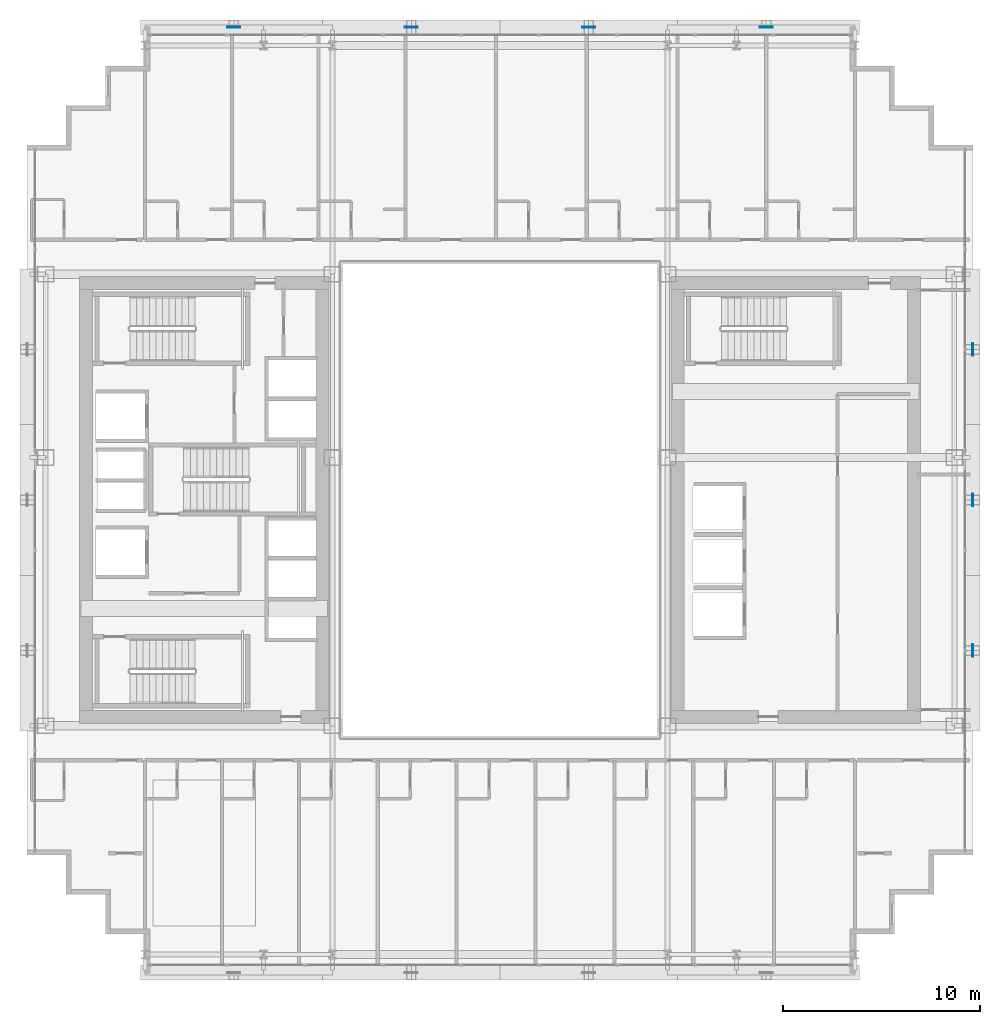
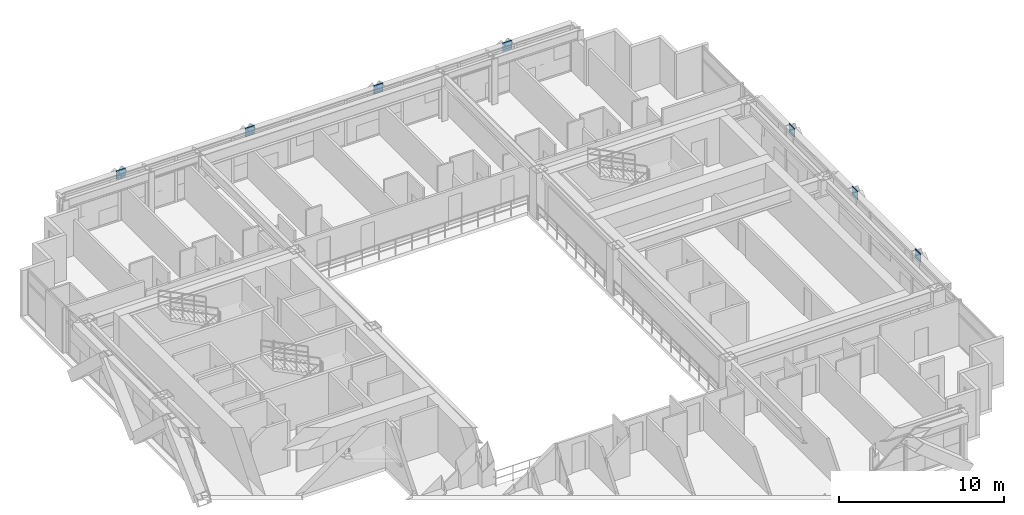
# One storey, part 26 of 36: 7 plates.
"""IFC4 building model written with IfcOpenShell, lengths in metres."""

from ifc_helpers import new_model, si_unit, direction, frame, origin, origin_2d, place, context, subcontext, project, spatial, rectangle, extrude, source, transform, mapped, material, layer, layer_set, type_object, element, save


model = new_model("IFC4")

# Units and contexts
model_context = context("Model", 3, precision=1e-05, world=origin(), true_north=direction((0.0, 1.0)))
body_context = subcontext(model_context, "Body", "Model", "MODEL_VIEW")
ifc_project = project(units=[si_unit("LENGTHUNIT", "METRE"), si_unit("AREAUNIT", "SQUARE_METRE"), si_unit("VOLUMEUNIT", "CUBIC_METRE"), si_unit("PLANEANGLEUNIT", "RADIAN"), si_unit("MASSUNIT", "GRAM", prefix="KILO")], contexts=[model_context])

# Site, building, storey
site_placement = place(None, origin())
site = spatial("IfcSite", under=ifc_project, at=site_placement, CompositionType="ELEMENT")
building_placement = place(site_placement, origin())
building = spatial("IfcBuilding", under=site, at=building_placement, Name="Ocotamira Hotel", CompositionType="ELEMENT")
storey_placement = place(building_placement, frame((0.0, 0.0, 133.199951171875)))
storey = spatial("IfcBuildingStorey", under=building, at=storey_placement, Name="L33", CompositionType="ELEMENT", Elevation=133.199951171875)

# Plates
ifc_material = material(Name="Pale-metal coated steel ASTM A572 Grade 50", Category="steel")
ifc_layer = layer(ifc_material, 0.0400390625)
ifc_layer_set = layer_set([ifc_layer], Name="Pale-metal coated steel ASTM A572 Grade 50")
plate_type = type_object("IfcPlateType", Name="PLT-GUSSET-40", PredefinedType="SHEET", material=ifc_layer_set)
shared_shape_1 = source(origin(), body_context, "Body", "SweptSolid", [
    extrude(rectangle(XDim=0.64990234375, YDim=0.0400390625, at=origin_2d()), origin(), (0.0, 0.0, 1.0), 0.64990234375),
])
for number, where, z_axis, x_axis, name in (
    (1, (18.5, 49.969970703125, 2.78515625), (0.0, 0.0, 1.0), (1.0, 0.0, 0.0), "L33 Exoskeleton Diagrid N0.1 End Gusset B"),
    (2, (27.5, 49.969970703125, 2.78515625), (0.0, 0.0, 1.0), (1.0, 0.0, 0.0), "L33 Exoskeleton Diagrid N1.1 End Gusset B"),
    (3, (36.5, 49.969970703125, 2.78515625), (0.0, 0.0, 1.0), (1.0, 0.0, 0.0), "L33 Exoskeleton Diagrid N2.1 End Gusset B"),
    (4, (45.5, 49.969970703125, 2.78515625), (0.0, 0.0, 1.0), (1.0, 0.0, 0.0), "L33 Exoskeleton Diagrid N3.1 End Gusset B"),
):
    element("IfcPlate", number, at=place(storey_placement, frame(where, z_axis=z_axis, x_axis=x_axis)), inside=storey, type_object=plate_type, Name=name, PredefinedType="SHEET", context=body_context, shape_type="MappedRepresentation", body=[
        mapped(shared_shape_1, transform((0.0, 0.0, 0.0), scale=1.0)),
    ])
shared_shape_2 = source(origin(), body_context, "Body", "SweptSolid", [
    extrude(rectangle(XDim=0.0400390625, YDim=0.64990234375, at=origin_2d()), origin(), (0.0, 0.0, 1.0), 0.64990234375),
])
for number, where, z_axis, x_axis, name in (
    (5, (55.969970703125, 18.36669921875, 2.78515625), (0.0, 0.0, 1.0), (1.0, 0.0, 0.0), "L33 Exoskeleton Diagrid E0.1 End Gusset B"),
    (6, (55.969970703125, 26.0, 2.78515625), (0.0, 0.0, 1.0), (1.0, 0.0, 0.0), "L33 Exoskeleton Diagrid E1.1 End Gusset B"),
    (7, (55.969970703125, 33.63330078125, 2.78515625), (0.0, 0.0, 1.0), (1.0, 0.0, 0.0), "L33 Exoskeleton Diagrid E2.1 End Gusset B"),
):
    element("IfcPlate", number, at=place(storey_placement, frame(where, z_axis=z_axis, x_axis=x_axis)), inside=storey, type_object=plate_type, Name=name, PredefinedType="SHEET", context=body_context, shape_type="MappedRepresentation", body=[
        mapped(shared_shape_2, transform((0.0, 0.0, 0.0), scale=1.0)),
    ])

save(model, "model.ifc")
